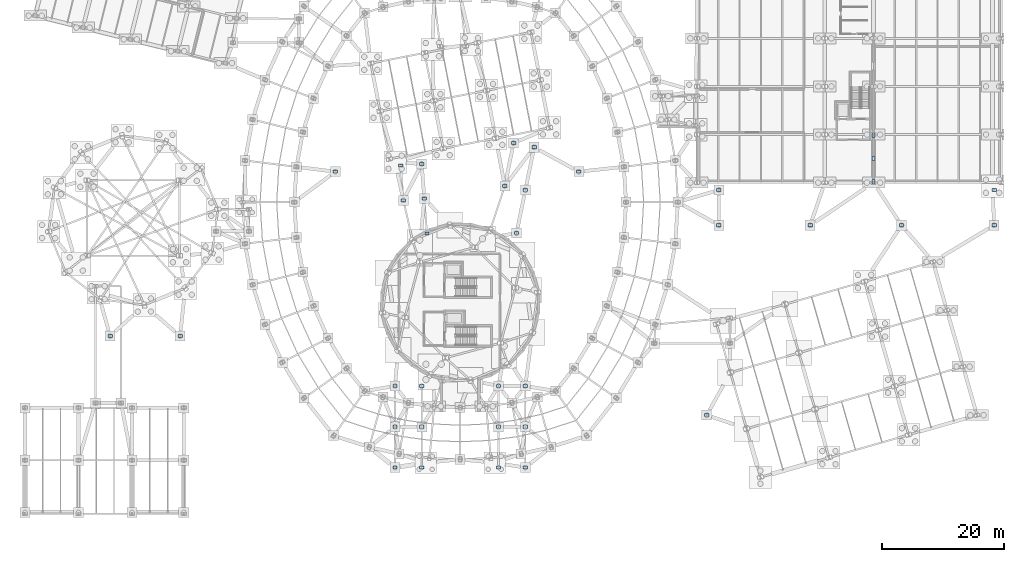
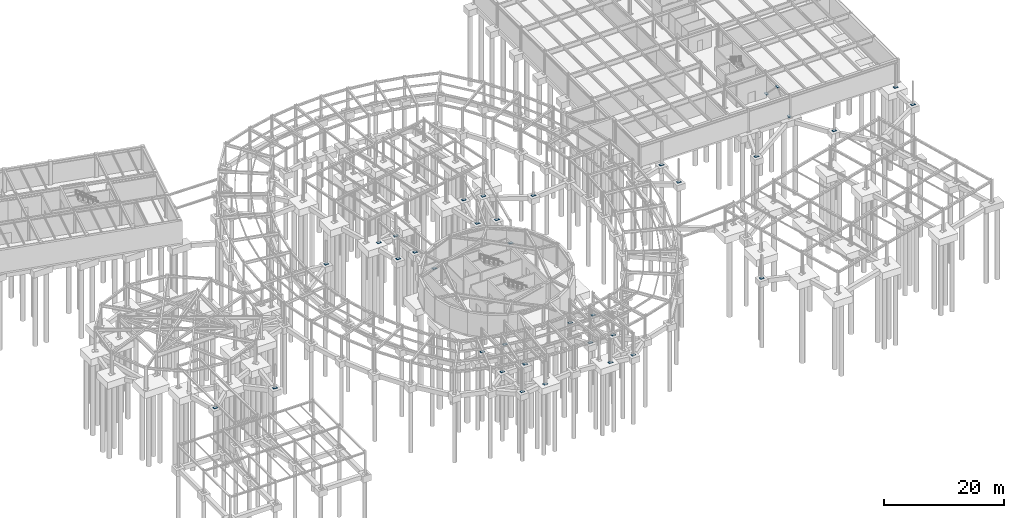
# One storey, part 39 of 50: 36 plates.
"""IFC4 building model written with IfcOpenShell, lengths in metres."""

from ifc_helpers import new_model, si_unit, direction, frame, origin, origin_2d, place, context, subcontext, project, spatial, rectangle, extrude, material, layer, layer_set, type_object, element, save


model = new_model("IFC4")

# Units and contexts
model_context = context("Model", 3, precision=1e-05, world=origin(), true_north=direction((0.0, 1.0)))
body_context = subcontext(model_context, "Body", "Model", "MODEL_VIEW")
ifc_project = project(units=[si_unit("LENGTHUNIT", "METRE"), si_unit("AREAUNIT", "SQUARE_METRE"), si_unit("VOLUMEUNIT", "CUBIC_METRE"), si_unit("PLANEANGLEUNIT", "RADIAN"), si_unit("MASSUNIT", "GRAM", prefix="KILO")], contexts=[model_context])

# Site, building, storey
site_placement = place(None, origin())
site = spatial("IfcSite", under=ifc_project, at=site_placement, CompositionType="ELEMENT")
building_placement = place(site_placement, origin())
building = spatial("IfcBuilding", under=site, at=building_placement, Name="Varnklinge Art Gallery", CompositionType="ELEMENT")
storey_placement = place(building_placement, frame((0.0, 0.0, -4.800048828125)))
storey = spatial("IfcBuildingStorey", under=building, at=storey_placement, Name="B01", CompositionType="ELEMENT", Elevation=-4.800048828125)

# Plates
ifc_material_1 = material(Name="Steel S355", Category="steel")
ifc_layer_1 = layer(ifc_material_1, 0.0400390625)
ifc_layer_set_1 = layer_set([ifc_layer_1], Name="Steel S355")
plate_type_1 = type_object("IfcPlateType", Name="PLT-BP1", PredefinedType="SHEET", material=ifc_layer_set_1)
for number, where, z_axis, x_axis, name in (
    (1, (70.0478515625, 49.85205078125, 0.0), (0.0, 0.0, 1.0), (1.0, 0.0, 0.0), "B01 Column Base Plate BRG-1-CL1"),
    (2, (69.613037109375, 55.563720703125, 0.0), (0.0, 0.0, 1.0), (1.0, 0.0, 0.0), "B01 Column Base Plate BRG-1-CL2"),
    (3, (69.17822265625, 61.275390625, 0.0), (0.0, 0.0, 1.0), (1.0, 0.0, 0.0), "B01 Column Base Plate BRG-1-CL3"),
    (4, (66.178955078125, 55.30224609375, 0.0), (0.0, 0.0, 1.0), (1.0, 0.0, 0.0), "B01 Column Base Plate BRG-1-CR2"),
    (5, (65.744140625, 61.013916015625, 0.0), (0.0, 0.0, 1.0), (1.0, 0.0, 0.0), "B01 Column Base Plate BRG-1-CR3"),
    (6, (84.751220703125, 49.89794921875, 0.0), (0.0, 0.0, 1.0), (1.0, 0.0, 0.0), "B01 Column Base Plate BRG-2-CL1"),
    (7, (86.20263671875, 56.9560546875, 0.0), (0.0, 0.0, 1.0), (1.0, 0.0, 0.0), "B01 Column Base Plate BRG-2-CL2"),
    (8, (87.654052734375, 64.01416015625, 0.0), (0.0, 0.0, 1.0), (1.0, 0.0, 0.0), "B01 Column Base Plate BRG-2-CL3"),
    (9, (82.8291015625, 57.64990234375, 0.0), (0.0, 0.0, 1.0), (1.0, 0.0, 0.0), "B01 Column Base Plate BRG-2-CR2"),
    (10, (84.28076171875, 64.7080078125, 0.0), (0.0, 0.0, 1.0), (1.0, 0.0, 0.0), "B01 Column Base Plate BRG-2-CR3"),
    (11, (64.800048828125, 11.39990234375, 0.0), (0.0, 0.0, 1.0), (1.0, 0.0, 0.0), "B01 Column Base Plate CAN-FC-1"),
    (12, (64.800048828125, 18.10009765625, 0.0), (0.0, 0.0, 1.0), (1.0, 0.0, 0.0), "B01 Column Base Plate CAN-MB-1"),
    (13, (64.800048828125, 24.800048828125, 0.0), (0.0, 0.0, 1.0), (1.0, 0.0, 0.0), "B01 Column Base Plate CAN-BK-1"),
    (14, (69.199951171875, 11.39990234375, 0.0), (0.0, 0.0, 1.0), (1.0, 0.0, 0.0), "B01 Column Base Plate CAN-FC-2"),
    (15, (69.199951171875, 18.10009765625, 0.0), (0.0, 0.0, 1.0), (1.0, 0.0, 0.0), "B01 Column Base Plate CAN-MB-2"),
    (16, (69.199951171875, 24.800048828125, 0.0), (0.0, 0.0, 1.0), (1.0, 0.0, 0.0), "B01 Column Base Plate CAN-BK-2"),
    (17, (81.800048828125, 11.39990234375, 0.0), (0.0, 0.0, 1.0), (1.0, 0.0, 0.0), "B01 Column Base Plate CAN-FC-3"),
    (18, (81.800048828125, 18.10009765625, 0.0), (0.0, 0.0, 1.0), (1.0, 0.0, 0.0), "B01 Column Base Plate CAN-MB-3"),
    (19, (81.800048828125, 24.800048828125, 0.0), (0.0, 0.0, 1.0), (1.0, 0.0, 0.0), "B01 Column Base Plate CAN-BK-3"),
    (20, (86.199951171875, 11.39990234375, 0.0), (0.0, 0.0, 1.0), (1.0, 0.0, 0.0), "B01 Column Base Plate CAN-FC-4"),
    (21, (86.199951171875, 18.10009765625, 0.0), (0.0, 0.0, 1.0), (1.0, 0.0, 0.0), "B01 Column Base Plate CAN-MB-4"),
    (22, (86.199951171875, 24.800048828125, 0.0), (0.0, 0.0, 1.0), (1.0, 0.0, 0.0), "B01 Column Base Plate CAN-BK-4"),
    (23, (18.0, 33.0, 0.0), (0.0, 0.0, 1.0), (1.0, 0.0, 0.0), "B01 Column Base Plate APRX-C1"),
    (24, (29.5, 33.0, 0.0), (0.0, 0.0, 1.0), (1.0, 0.0, 0.0), "B01 Column Base Plate APRX-C2"),
    (25, (116.0, 20.0, 0.0), (0.0, 0.0, 1.0), (1.0, 0.0, 0.0), "B01 Column Base Plate APRX-C5"),
    (26, (55.0, 60.0, 0.0), (0.0, 0.0, 1.0), (1.0, 0.0, 0.0), "B01 Column Base Plate APRX-C6"),
    (27, (95.0, 60.0, 0.0), (0.0, 0.0, 1.0), (1.0, 0.0, 0.0), "B01 Column Base Plate APRX-C7"),
    (28, (118.0, 51.199951171875, 0.0), (0.0, 0.0, 1.0), (1.0, 0.0, 0.0), "B01 Column Base Plate APRE-C1"),
    (29, (133.0, 51.199951171875, 0.0), (0.0, 0.0, 1.0), (1.0, 0.0, 0.0), "B01 Column Base Plate APRE-C2"),
    (30, (148.0, 51.199951171875, 0.0), (0.0, 0.0, 1.0), (1.0, 0.0, 0.0), "B01 Column Base Plate APRE-C3"),
    (31, (163.199951171875, 51.199951171875, 0.0), (0.0, 0.0, 1.0), (1.0, 0.0, 0.0), "B01 Column Base Plate APRE-C4"),
    (32, (163.199951171875, 57.0, 0.0), (0.0, 0.0, 1.0), (1.0, 0.0, 0.0), "B01 Column Base Plate APRE-C5"),
    (33, (118.0, 57.0, 0.0), (0.0, 0.0, 1.0), (1.0, 0.0, 0.0), "B01 Column Base Plate APRE-C6"),
):
    element("IfcPlate", number, at=place(storey_placement, frame(where, z_axis=z_axis, x_axis=x_axis)), inside=storey, type_object=plate_type_1, Name=name, PredefinedType="SHEET", context=body_context, shape_type="SweptSolid", body=[
        extrude(rectangle(XDim=0.719970703125, YDim=0.5, at=origin_2d()), origin(), (0.0, 0.0, 1.0), 0.0400390625),
    ])
ifc_material_2 = material(Name="Steel S355", Category="steel")
ifc_layer_2 = layer(ifc_material_2, 0.159912109375)
ifc_layer_set_2 = layer_set([ifc_layer_2], Name="Steel S355")
plate_type_2 = type_object("IfcPlateType", Name="PLT-GP2", PredefinedType="USERDEFINED", material=ifc_layer_set_2)
for number, where, z_axis, x_axis, name in (
    (34, (143.39990234375, 58.360107421875, 0.1201171875), (0.0, 0.0, 1.0), (0.0, 1.0, 0.0), "B01 Braced Frame Gusset Node Block V1E-B0-L"),
    (35, (143.39990234375, 65.93994140625, 0.1201171875), (0.0, 0.0, 1.0), (0.0, 1.0, 0.0), "B01 Braced Frame Gusset Node Block V1E-B0-R"),
    (36, (143.39990234375, 62.14990234375, 3.8701171875), (0.0, 0.0, 1.0), (0.0, 1.0, 0.0), "B01 Braced Frame Gusset Node Block V1E-B0-M"),
):
    element("IfcPlate", number, at=place(storey_placement, frame(where, z_axis=z_axis, x_axis=x_axis)), inside=storey, type_object=plate_type_2, Name=name, ObjectType="GUSSET PLATE", PredefinedType="USERDEFINED", context=body_context, shape_type="SweptSolid", body=[
        extrude(rectangle(XDim=0.679931640625, YDim=0.43994140625, at=origin_2d()), origin(), (0.0, 0.0, 1.0), 0.159912109375),
    ])

save(model, "model.ifc")
